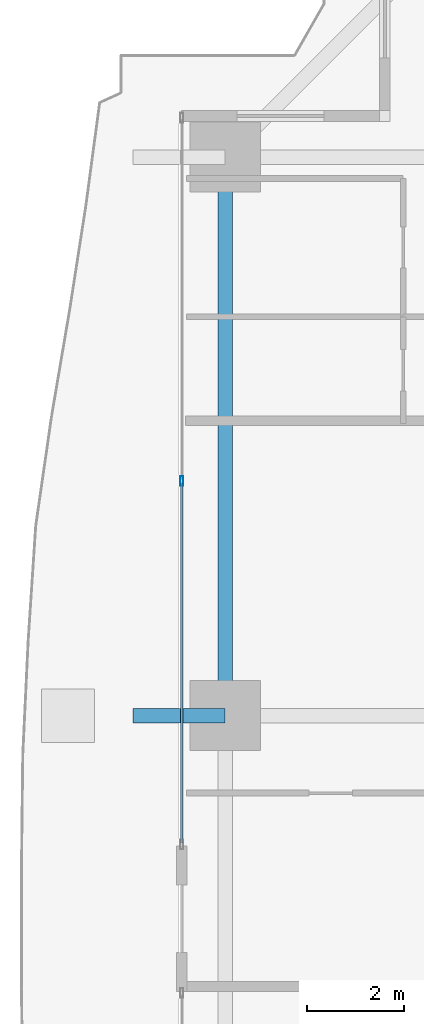
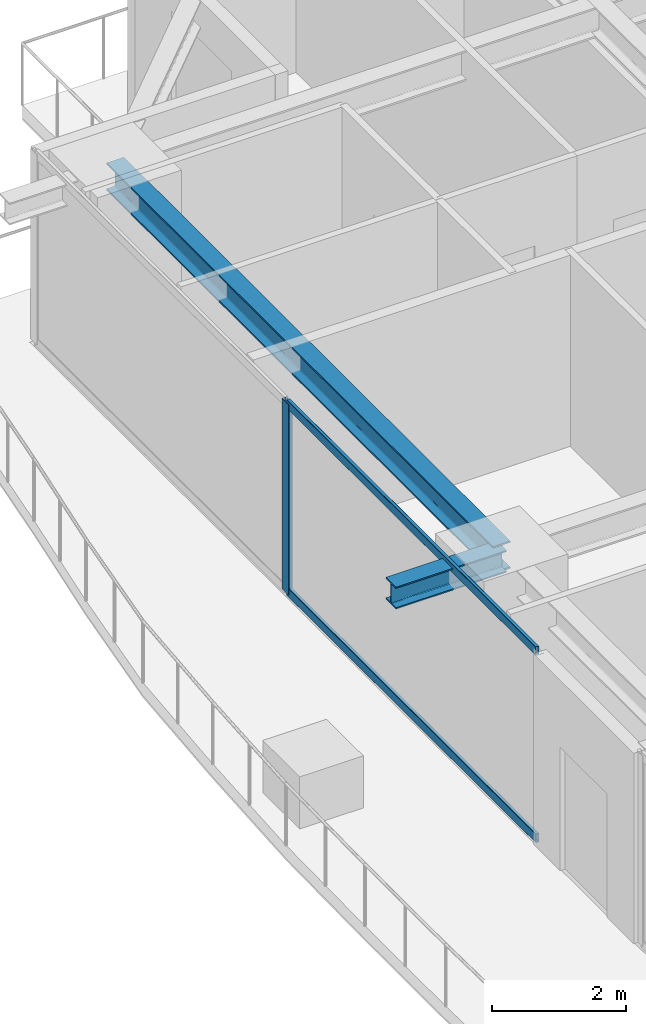
# One storey, part 16 of 41: 3 members, 2 beams, 1 element without a shape of its own.
"""IFC4 building model written with IfcOpenShell, lengths in metres."""

from ifc_helpers import new_model, si_unit, direction, frame, origin, origin_2d, place, context, subcontext, project, spatial, hollow_rectangle, i_section, extrude, source, transform, mapped, material, layer, layer_set, material_profile, profile_set, type_object, element, aggregate, save


model = new_model("IFC4")

# Units and contexts
model_context = context("Model", 3, precision=1e-05, world=origin(), true_north=direction((0.0, 1.0)))
body_context = subcontext(model_context, "Body", "Model", "MODEL_VIEW")
ifc_project = project(units=[si_unit("LENGTHUNIT", "METRE"), si_unit("AREAUNIT", "SQUARE_METRE"), si_unit("VOLUMEUNIT", "CUBIC_METRE"), si_unit("PLANEANGLEUNIT", "RADIAN"), si_unit("MASSUNIT", "GRAM", prefix="KILO")], contexts=[model_context])

# Site, building, storey
site_placement = place(None, origin())
site = spatial("IfcSite", under=ifc_project, at=site_placement, CompositionType="ELEMENT")
building_placement = place(site_placement, origin())
building = spatial("IfcBuilding", under=site, at=building_placement, Name="Serunith Strait Residences", CompositionType="ELEMENT")
storey_placement = place(building_placement, frame((0.0, 0.0, 45.449951171875)))
storey = spatial("IfcBuildingStorey", under=building, at=storey_placement, Name="L10", CompositionType="ELEMENT", Elevation=45.449951171875)

# Beams
ifc_material_1 = material(Name="Steel S355J2", Category="steel")
ifc_material_profile_1 = material_profile(ifc_material_1, i_section(OverallWidth=0.300048828125, OverallDepth=0.5, WebThickness=0.014404296875, FlangeThickness=0.028076171875, FilletRadius=0.027099609375, at=origin_2d()), Name="HEB 500")
ifc_profile_set_1 = profile_set([ifc_material_profile_1], Name="Steel S355J2")
beam_type_1 = type_object("IfcBeamType", Name="BM-HEB500", PredefinedType="BEAM", material=ifc_profile_set_1)
shared_shape_1 = source(origin(), body_context, "Body", "SweptSolid", [
    extrude(i_section(OverallWidth=0.300048828125, OverallDepth=0.5, WebThickness=0.014404296875, FlangeThickness=0.028076171875, FilletRadius=0.027099609375, at=origin_2d()), origin(), (0.0, 0.0, 1.0), 11.550048828125),
])
beam_1_placement = place(storey_placement, frame((6.89990234375, 40.949951171875, 3.237060546875), z_axis=(0.0, -1.0, 0.0), x_axis=(1.0, 0.0, 0.0)))
element("IfcBeam", 1, at=beam_1_placement, inside=storey, type_object=beam_type_1, Name="L10 Perimeter Ring Beam 13", PredefinedType="BEAM", context=body_context, shape_type="MappedRepresentation", body=[
    mapped(shared_shape_1, transform((0.0, 0.0, 0.0), scale=1.0)),
])
ifc_material_profile_2 = material_profile(ifc_material_1, i_section(OverallWidth=0.300048828125, OverallDepth=0.39990234375, WebThickness=0.013427734375, FlangeThickness=0.02392578125, FilletRadius=0.027099609375, at=origin_2d()), Name="HEB 400")
ifc_profile_set_2 = profile_set([ifc_material_profile_2], Name="Steel S355J2")
beam_type_2 = type_object("IfcBeamType", Name="BM-HEB400", PredefinedType="BEAM", material=ifc_profile_set_2)
shared_shape_2 = source(origin(), body_context, "Body", "SweptSolid", [
    extrude(i_section(OverallWidth=0.300048828125, OverallDepth=0.39990234375, WebThickness=0.013427734375, FlangeThickness=0.02392578125, FilletRadius=0.027099609375, at=origin_2d()), origin(), (0.0, 0.0, 1.0), 1.909912109375),
])
beam_2_placement = place(storey_placement, frame((6.89990234375, 29.39990234375, 3.257080078125), z_axis=(-1.0, 0.0, 0.0), x_axis=(0.0, -1.0, 0.0)))
element("IfcBeam", 2, at=beam_2_placement, inside=storey, type_object=beam_type_2, Name="L11 Cantilevered Balcony Rib TC-W3", PredefinedType="BEAM", context=body_context, shape_type="MappedRepresentation", body=[
    mapped(shared_shape_2, transform((0.0, 0.0, 0.0), scale=1.0)),
])

# Curtain wall, members
ifc_material_2 = material(Name="Pale-Champagne Anodised Aluminium", Category="aluminium")
ifc_layer = layer(ifc_material_2, 0.199951171875, Name="Pale-Champagne Anodised Aluminium")
ifc_layer_set = layer_set([ifc_layer], Name="Pale-Champagne Anodised Aluminium")
curtain_wall_type = type_object("IfcCurtainWallType", Name="CW-SYS1", PredefinedType="NOTDEFINED", material=ifc_layer_set)
curtain_wall_placement = place(storey_placement, origin())
curtain_wall = element("IfcCurtainWall", 3, at=curtain_wall_placement, inside=storey, type_object=curtain_wall_type, Name="L10 W Unitised Fritted Curtain Wall", PredefinedType="NOTDEFINED")
ifc_material_profile_3 = material_profile(ifc_material_2, hollow_rectangle(XDim=0.070068359375, YDim=0.199951171875, WallThickness=0.00390625, InnerFilletRadius=0.006103515625, OuterFilletRadius=0.010009765625, at=origin_2d()), Name="ALU 200x70x4")
ifc_profile_set_3 = profile_set([ifc_material_profile_3], Name="Pale-Champagne Anodised Aluminium")
member_type_1 = type_object("IfcMemberType", Name="CW-SYS1-MULL", PredefinedType="MULLION", material=ifc_profile_set_3)
shared_shape_3 = source(origin(), body_context, "Body", "SweptSolid", [
    extrude(hollow_rectangle(XDim=0.070068359375, YDim=0.199951171875, WallThickness=0.00390625, InnerFilletRadius=0.006103515625, OuterFilletRadius=0.010009765625, at=origin_2d()), origin(), (0.0, 0.0, 1.0), 3.47509765625),
])
member_1_placement = place(storey_placement, frame((6.0, 34.25, 0.0), z_axis=(0.0, 0.0, 1.0), x_axis=(1.0, 0.0, 0.0)))
member_1 = element("IfcMember", 4, at=member_1_placement, type_object=member_type_1, Name="CW-1 mullion 2", PredefinedType="MULLION", context=body_context, shape_type="MappedRepresentation", body=[
    mapped(shared_shape_3, transform((0.0, 0.0, 0.0), scale=1.0)),
])
ifc_material_profile_4 = material_profile(ifc_material_2, hollow_rectangle(XDim=0.06005859375, YDim=0.159912109375, WallThickness=0.00341796875, InnerFilletRadius=0.00537109375, OuterFilletRadius=0.0087890625, at=origin_2d()), Name="ALU 160x60x3.5")
ifc_profile_set_4 = profile_set([ifc_material_profile_4], Name="Pale-Champagne Anodised Aluminium")
member_type_2 = type_object("IfcMemberType", Name="CW-SYS1-TRAN", PredefinedType="USERDEFINED", material=ifc_profile_set_4)
shared_shape_4 = source(origin(), body_context, "Body", "SweptSolid", [
    extrude(hollow_rectangle(XDim=0.06005859375, YDim=0.159912109375, WallThickness=0.00341796875, InnerFilletRadius=0.00537109375, OuterFilletRadius=0.0087890625, at=origin_2d()), origin(), (0.0, 0.0, 1.0), 7.445068359375),
])
member_2_placement = place(storey_placement, frame((6.0, 34.215087890625, 0.030029296875), z_axis=(0.0, -1.0, 0.0), x_axis=(1.0, 0.0, 0.0)))
member_2 = element("IfcMember", 5, at=member_2_placement, type_object=member_type_2, Name="CW-1 transom 2.1", ObjectType="TRANSOM", PredefinedType="USERDEFINED", context=body_context, shape_type="MappedRepresentation", body=[
    mapped(shared_shape_4, transform((0.0, 0.0, 0.0), scale=1.0)),
])
member_3_placement = place(storey_placement, frame((6.0, 34.215087890625, 3.445068359375), z_axis=(0.0, -1.0, 0.0), x_axis=(1.0, 0.0, 0.0)))
member_3 = element("IfcMember", 6, at=member_3_placement, type_object=member_type_2, Name="CW-1 transom 2.2", ObjectType="TRANSOM", PredefinedType="USERDEFINED", context=body_context, shape_type="MappedRepresentation", body=[
    mapped(shared_shape_4, transform((0.0, 0.0, 0.0), scale=1.0)),
])
aggregate(curtain_wall, [member_1, member_2, member_3])

save(model, "model.ifc")
